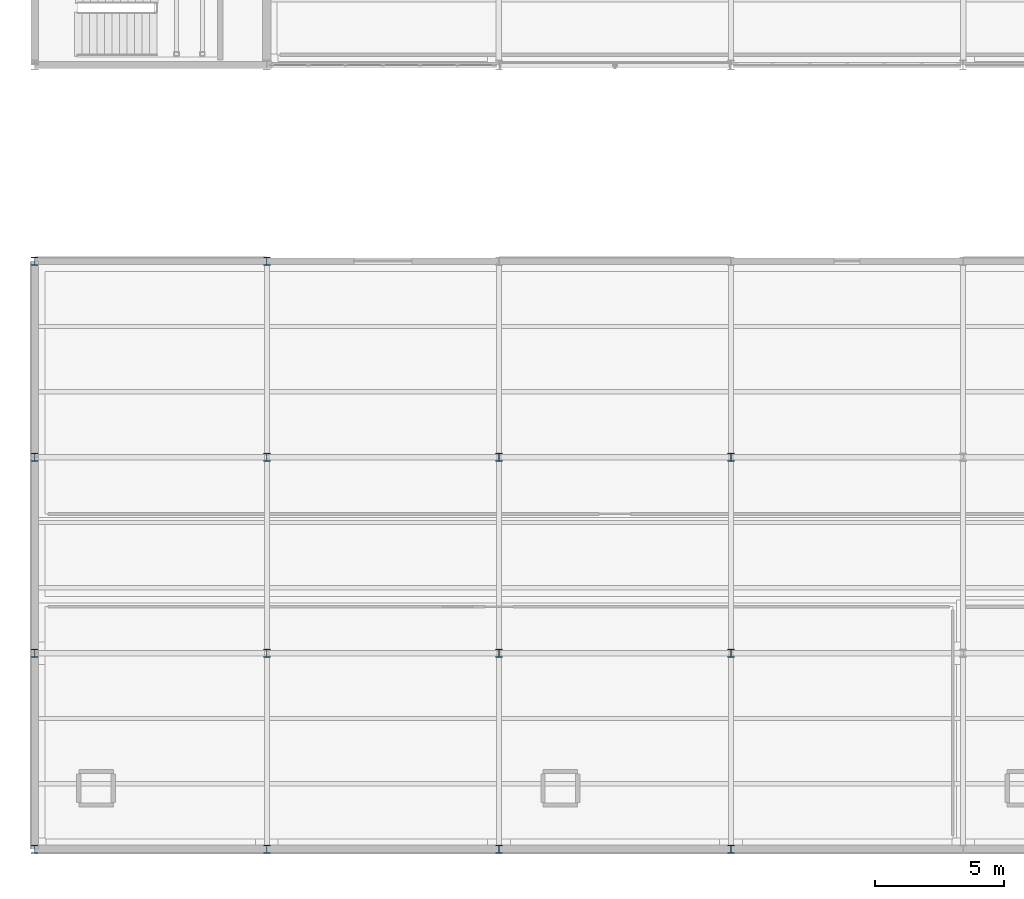
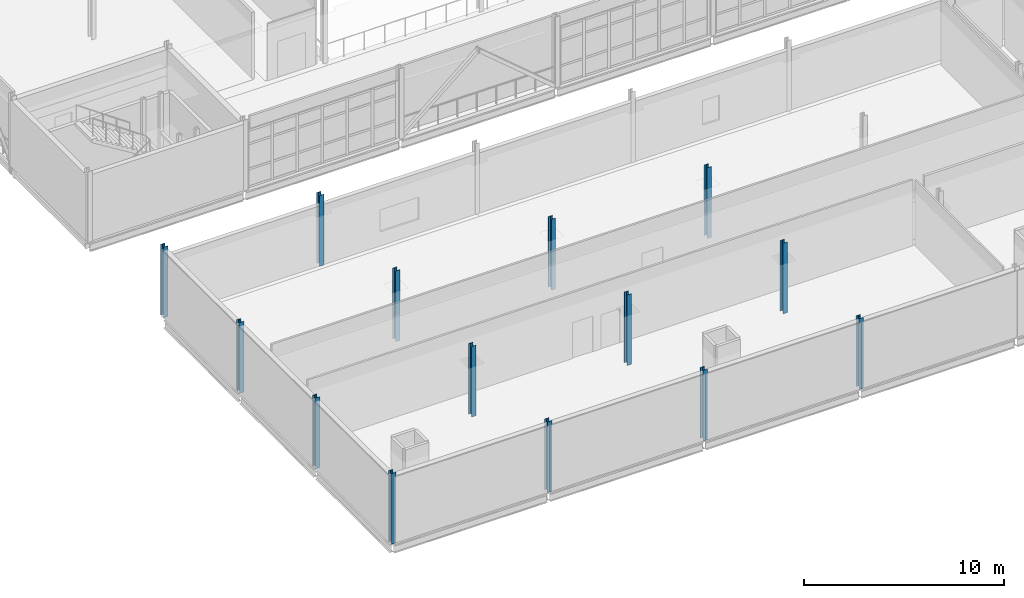
# One storey, part 1 of 174: 14 columns.
"""IFC4 building model written with IfcOpenShell, lengths in metres."""

from ifc_helpers import new_model, si_unit, direction, frame, origin, origin_2d, place, context, subcontext, project, spatial, i_section, extrude, material, material_profile, profile_set, type_object, element, save


model = new_model("IFC4")

# Units and contexts
model_context = context("Model", 3, precision=1e-05, world=origin(), true_north=direction((0.0, 1.0)))
body_context = subcontext(model_context, "Body", "Model", "MODEL_VIEW")
ifc_project = project(units=[si_unit("LENGTHUNIT", "METRE"), si_unit("AREAUNIT", "SQUARE_METRE"), si_unit("VOLUMEUNIT", "CUBIC_METRE"), si_unit("PLANEANGLEUNIT", "RADIAN"), si_unit("MASSUNIT", "GRAM", prefix="KILO")], contexts=[model_context])

# Site, building, storey
site_placement = place(None, origin())
site = spatial("IfcSite", under=ifc_project, at=site_placement, CompositionType="ELEMENT")
building_placement = place(site_placement, origin())
building = spatial("IfcBuilding", under=site, at=building_placement, Name="Caisbarro Railhouse Central Library", CompositionType="ELEMENT")
storey_placement = place(building_placement, frame((0.0, 0.0, 5.0400390625)))
storey = spatial("IfcBuildingStorey", under=building, at=storey_placement, Name="L01", CompositionType="ELEMENT", Elevation=5.0400390625)

# Columns
ifc_material = material(Name="Steel ASTM A572 Grade 50", Category="steel")
ifc_material_profile = material_profile(ifc_material, i_section(OverallWidth=0.25390625, OverallDepth=0.305908203125, WebThickness=0.0087890625, FlangeThickness=0.0146484375, FilletRadius=0.014892578125, at=origin_2d()), Name="W310X79.0")
ifc_profile_set = profile_set([ifc_material_profile], Name="Steel ASTM A572 Grade 50")
column_type = type_object("IfcColumnType", Name="COL-C07", PredefinedType="COLUMN", material=ifc_profile_set)
for number, where, z_axis, x_axis, name in (
    (1, (0.0, 0.0, 0.0), (0.0, 0.0, 1.0), (1.0, 0.0, 0.0), "C07 column L01 (0.0,0.0)"),
    (2, (0.0, 7.60009765625, 0.0), (0.0, 0.0, 1.0), (1.0, 0.0, 0.0), "C07 column L01 (0.0,7.6)"),
    (3, (0.0, 15.199951171875, 0.0), (0.0, 0.0, 1.0), (1.0, 0.0, 0.0), "C07 column L01 (0.0,15.2)"),
    (4, (0.0, 22.800048828125, 0.0), (0.0, 0.0, 1.0), (1.0, 0.0, 0.0), "C07 column L01 (0.0,22.8)"),
    (5, (9.0, 0.0, 0.0), (0.0, 0.0, 1.0), (1.0, 0.0, 0.0), "C07 column L01 (9.0,0.0)"),
    (6, (9.0, 7.60009765625, 0.0), (0.0, 0.0, 1.0), (1.0, 0.0, 0.0), "C07 column L01 (9.0,7.6)"),
    (7, (9.0, 15.199951171875, 0.0), (0.0, 0.0, 1.0), (1.0, 0.0, 0.0), "C07 column L01 (9.0,15.2)"),
    (8, (9.0, 22.800048828125, 0.0), (0.0, 0.0, 1.0), (1.0, 0.0, 0.0), "C07 column L01 (9.0,22.8)"),
    (9, (18.0, 0.0, 0.0), (0.0, 0.0, 1.0), (1.0, 0.0, 0.0), "C07 column L01 (18.0,0.0)"),
    (10, (18.0, 7.60009765625, 0.0), (0.0, 0.0, 1.0), (1.0, 0.0, 0.0), "C07 column L01 (18.0,7.6)"),
    (11, (18.0, 15.199951171875, 0.0), (0.0, 0.0, 1.0), (1.0, 0.0, 0.0), "C07 column L01 (18.0,15.2)"),
    (12, (27.0, 0.0, 0.0), (0.0, 0.0, 1.0), (1.0, 0.0, 0.0), "C07 column L01 (27.0,0.0)"),
    (13, (27.0, 7.60009765625, 0.0), (0.0, 0.0, 1.0), (1.0, 0.0, 0.0), "C07 column L01 (27.0,7.6)"),
    (14, (27.0, 15.199951171875, 0.0), (0.0, 0.0, 1.0), (1.0, 0.0, 0.0), "C07 column L01 (27.0,15.2)"),
):
    element("IfcColumn", number, at=place(storey_placement, frame(where, z_axis=z_axis, x_axis=x_axis)), inside=storey, type_object=column_type, Name=name, PredefinedType="COLUMN", context=body_context, shape_type="SweptSolid", body=[
        extrude(i_section(OverallWidth=0.25390625, OverallDepth=0.305908203125, WebThickness=0.0087890625, FlangeThickness=0.0146484375, FilletRadius=0.014892578125, at=origin_2d()), origin(), (0.0, 0.0, 1.0), 4.320068359375),
    ])

save(model, "model.ifc")
